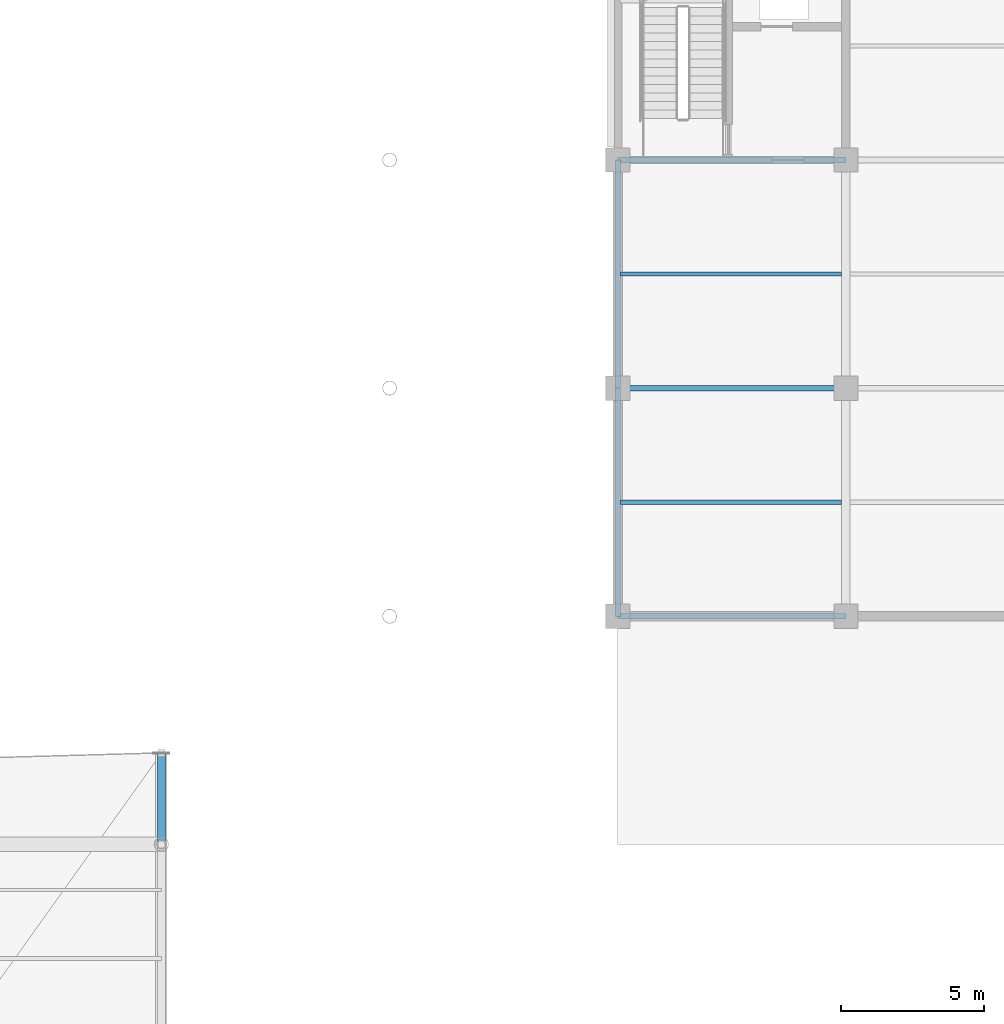
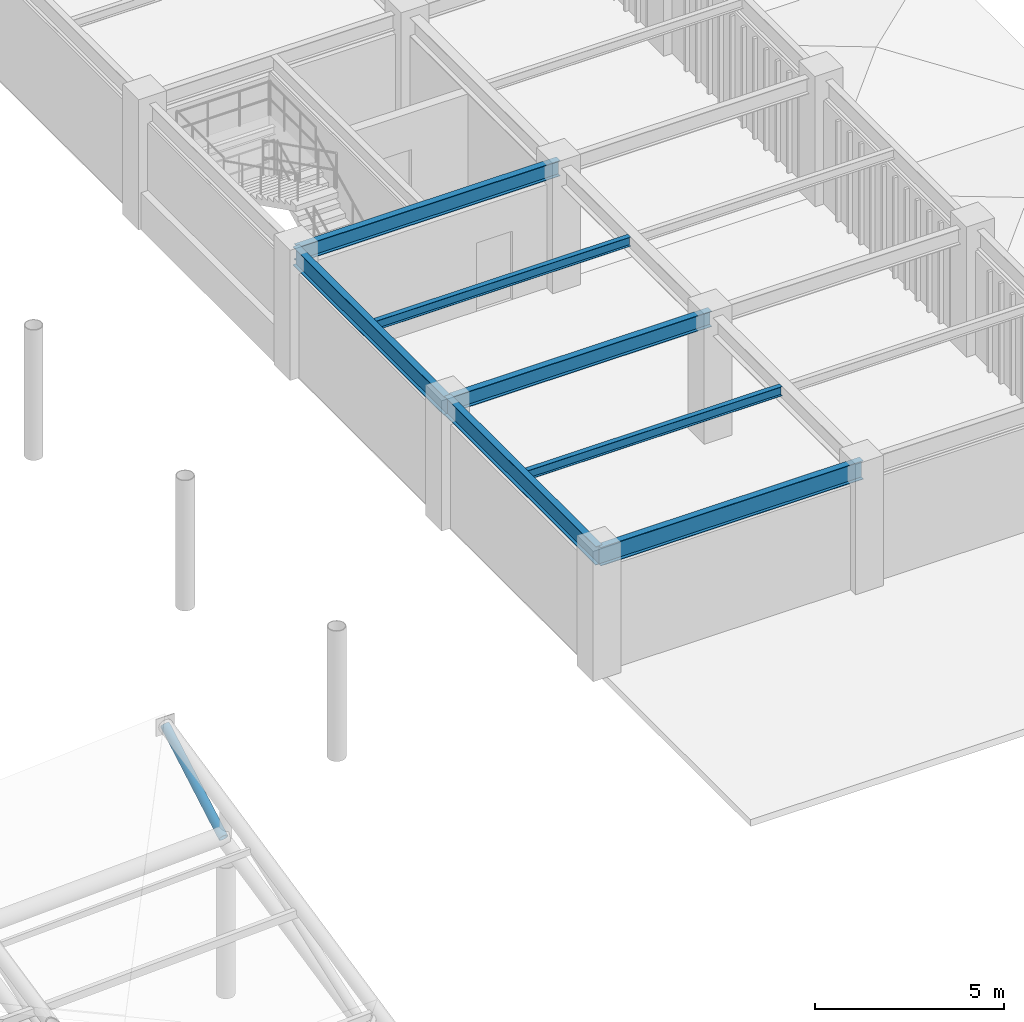
# One storey, part 26 of 78: 7 beams, 1 member.
"""IFC4 building model written with IfcOpenShell, lengths in metres."""

import ifcopenshell
import ifcopenshell.guid

model = None  # the IFC model being written
_history = None  # IfcOwnerHistory: only IFC2X3 demands one
_inside = {}  # id of a spatial element -> (the spatial element, [elements in it])
_under = {}  # id of a project, library or spatial element -> (it, [spatial elements below it])
_declared = {}  # id of a project -> (the project, [libraries it declares])
_typed = {}  # id of a type object -> (the type object, [elements of that type])
_made_of = {}  # id of a material, layer set ... -> (it, [elements and type objects made of it])


def new_model(schema):
    """Start an empty IFC model of exactly this schema.

    Asked for "IFC4X3", IfcOpenShell would pick the latest addendum, in which some entities
    have other attributes; the version numbers below select the first issue.
    IFC2X3 requires an IfcOwnerHistory on every rooted entity: one is made here for all.
    """
    global model, _history
    if schema == "IFC4X3":
        model = ifcopenshell.file(schema_version=(4, 3, 0, 0))
    else:
        model = ifcopenshell.file(schema=schema)
    _inside.clear()
    _under.clear()
    _declared.clear()
    _typed.clear()
    _made_of.clear()
    _history = None
    if model.schema == "IFC2X3":
        org = make("IfcOrganization", Name="unknown")
        user = make(
            "IfcPersonAndOrganization",
            ThePerson=make("IfcPerson", FamilyName="unknown"),
            TheOrganization=org,
        )
        app = make(
            "IfcApplication",
            ApplicationDeveloper=org,
            Version="unknown",
            ApplicationFullName="unknown",
            ApplicationIdentifier="unknown",
        )
        _history = make(
            "IfcOwnerHistory",
            OwningUser=user,
            OwningApplication=app,
            ChangeAction="ADDED",
            CreationDate=0,
        )
    return model


def make(cls, **values):
    """One entity of the class cls with the attributes given. An attribute that is None is left unset."""
    return model.create_entity(
        cls, **{name: value for name, value in values.items() if value is not None}
    )


def rooted(cls, **values):
    """An entity with a GlobalId (a new one), such as an element, a storey or a relation."""
    return make(cls, GlobalId=ifcopenshell.guid.new(), OwnerHistory=_history, **values)


def si_unit(unit_type, name, prefix=None):
    """IfcSIUnit, for example si_unit("LENGTHUNIT", "METRE", prefix="MILLI")."""
    return make("IfcSIUnit", UnitType=unit_type, Prefix=prefix, Name=name)


def assignment(units):
    """IfcUnitAssignment: the units of a project."""
    return None if units is None else make("IfcUnitAssignment", Units=units)


def point(xyz):
    """IfcCartesianPoint."""
    return None if xyz is None else make("IfcCartesianPoint", Coordinates=xyz)


def direction(xyz):
    """IfcDirection."""
    return None if xyz is None else make("IfcDirection", DirectionRatios=xyz)


def frame(location, z_axis=None, x_axis=None):
    """IfcAxis2Placement3D, a coordinate frame: its origin and axes. An axis left out is left unset."""
    return make(
        "IfcAxis2Placement3D",
        Location=point(location),
        Axis=direction(z_axis),
        RefDirection=direction(x_axis),
    )


def frame_2d(location, x_axis=None):
    """IfcAxis2Placement2D, a coordinate frame in the plane: its origin and x axis."""
    return make(
        "IfcAxis2Placement2D", Location=point(location), RefDirection=direction(x_axis)
    )


def origin():
    """The frame at (0, 0, 0) with its axes left unset."""
    return frame((0.0, 0.0, 0.0))


def origin_2d():
    """The frame at (0, 0) in the plane with its x axis left unset."""
    return frame_2d((0.0, 0.0))


def place(relative_to, where):
    """IfcLocalPlacement: puts the frame where relative to a parent placement (None: the world)."""
    return make(
        "IfcLocalPlacement", PlacementRelTo=relative_to, RelativePlacement=where
    )


def context(
    kind, dimensions, precision=None, world=None, true_north=None, identifier=None
):
    """IfcGeometricRepresentationContext, for example the 3D "Model" context."""
    return make(
        "IfcGeometricRepresentationContext",
        ContextIdentifier=identifier,
        ContextType=kind,
        CoordinateSpaceDimension=dimensions,
        Precision=precision,
        WorldCoordinateSystem=world,
        TrueNorth=true_north,
    )


def subcontext(parent, identifier, kind, view, scale=None):
    """IfcGeometricRepresentationSubContext, for example "Body" below "Model"."""
    return make(
        "IfcGeometricRepresentationSubContext",
        ContextIdentifier=identifier,
        ContextType=kind,
        ParentContext=parent,
        TargetScale=scale,
        TargetView=view,
    )


def project(units=None, contexts=None):
    """IfcProject with its units and contexts."""
    return rooted(
        "IfcProject",
        Name="project",
        RepresentationContexts=contexts,
        UnitsInContext=assignment(units),
    )


def spatial(cls, under=None, at=None, **own):
    """A site, building, storey or space (cls), placed at a placement, below another one or the project."""
    s = rooted(cls, ObjectPlacement=at, **own)
    if under is not None:
        _under.setdefault(under.id(), (under, []))[1].append(s)
    return s


def profile(cls, at=None, kind="AREA", **sizes):
    """A parametric profile (cls). Its sizes go by their IFC names, for example OverallWidth=200.0."""
    return make(cls, ProfileType=kind, Position=at, **sizes)


def hollow_circle(**sizes):
    """IfcCircleHollowProfileDef."""
    return profile("IfcCircleHollowProfileDef", **sizes)


def i_section(**sizes):
    """IfcIShapeProfileDef."""
    return profile("IfcIShapeProfileDef", **sizes)


def extrude(swept, where, along, depth):
    """IfcExtrudedAreaSolid: the profile swept, set in the frame where, extruded along a direction by depth."""
    return make(
        "IfcExtrudedAreaSolid",
        SweptArea=swept,
        Position=where,
        ExtrudedDirection=direction(along),
        Depth=depth,
    )


def shape(context_of_items, identifier, shape_type, items):
    """IfcShapeRepresentation: the items that make up one representation, for example the "Body"."""
    return make(
        "IfcShapeRepresentation",
        ContextOfItems=context_of_items,
        RepresentationIdentifier=identifier,
        RepresentationType=shape_type,
        Items=items,
    )


def material(Name=None, Category=None):
    """IfcMaterial."""
    return make("IfcMaterial", Name=Name, Category=Category)


def material_profile(
    of_material, cross_section, Name=None, Category=None, Priority=None
):
    """IfcMaterialProfile: a cross section and its material."""
    return make(
        "IfcMaterialProfile",
        Name=Name,
        Material=of_material,
        Profile=cross_section,
        Priority=Priority,
        Category=Category,
    )


def profile_set(profiles, Name=None, composite=None):
    """IfcMaterialProfileSet."""
    return make(
        "IfcMaterialProfileSet",
        Name=Name,
        MaterialProfiles=profiles,
        CompositeProfile=composite,
    )


def made_of(thing, what):
    """Note that an element or type object is made of a material, layer set ...; save() writes the relation."""
    if what is not None:
        _made_of.setdefault(what.id(), (what, []))[1].append(thing)
    return thing


def type_object(cls, material=None, **own):
    """A type object (cls), such as IfcWallType, which elements share."""
    return made_of(rooted(cls, **own), material)


def element(
    cls,
    number,
    at=None,
    inside=None,
    cuts=None,
    type_object=None,
    material=None,
    context=None,
    identifier="Body",
    shape_type=None,
    held_by="IfcProductDefinitionShape",
    body=None,
    shapes=None,
    **own,
):
    """One element of the class cls, such as IfcWall. Its Tag is "e" and its number.

    at: its placement. inside: the storey or other place that contains it. cuts: it is an
    opening in that element (IfcRelVoidsElement). A single representation is given by context,
    identifier, shape_type and body (its items); several are given by shapes. held_by: the class
    of the entity that holds the representations. save() writes the other relations.
    """
    e = rooted(cls, Tag="e%d" % number, ObjectPlacement=at, **own)
    if body is not None:
        shapes = [shape(context, identifier, shape_type, body)]
    if shapes is not None:
        e.Representation = make(held_by, Representations=shapes)
    if inside is not None:
        _inside.setdefault(inside.id(), (inside, []))[1].append(e)
    if cuts is not None:
        rooted(
            "IfcRelVoidsElement", RelatingBuildingElement=cuts, RelatedOpeningElement=e
        )
    if type_object is not None:
        _typed.setdefault(type_object.id(), (type_object, []))[1].append(e)
    return made_of(e, material)


def aggregate(whole, parts):
    """IfcRelAggregates: a whole, such as a stair, and the parts it consists of."""
    return rooted("IfcRelAggregates", RelatingObject=whole, RelatedObjects=parts)


def save(model, path):
    """Write the relations noted so far, then the file.

    IfcRelAggregates (storeys below a building ...), IfcRelContainedInSpatialStructure (elements
    in a storey), IfcRelDefinesByType, IfcRelAssociatesMaterial and IfcRelDeclares: one each for
    every whole, place, type object, material and project.
    """
    for whole, parts in _under.values():
        aggregate(whole, parts)
    for where, things in _inside.values():
        rooted(
            "IfcRelContainedInSpatialStructure",
            RelatedElements=things,
            RelatingStructure=where,
        )
    for kind, things in _typed.values():
        rooted("IfcRelDefinesByType", RelatedObjects=things, RelatingType=kind)
    for what, things in _made_of.values():
        rooted("IfcRelAssociatesMaterial", RelatedObjects=things, RelatingMaterial=what)
    for by, libraries in _declared.values():
        rooted("IfcRelDeclares", RelatingContext=by, RelatedDefinitions=libraries)
    model.write(path)


model = new_model("IFC4")

# Units and contexts
model_context = context("Model", 3, precision=1e-05, world=origin(), true_north=direction((0.0, 1.0)))
body_context = subcontext(model_context, "Body", "Model", "MODEL_VIEW")
ifc_project = project(units=[si_unit("LENGTHUNIT", "METRE"), si_unit("AREAUNIT", "SQUARE_METRE"), si_unit("VOLUMEUNIT", "CUBIC_METRE"), si_unit("PLANEANGLEUNIT", "RADIAN"), si_unit("MASSUNIT", "GRAM", prefix="KILO")], contexts=[model_context])

# Site, building, storey
site_placement = place(None, origin())
site = spatial("IfcSite", under=ifc_project, at=site_placement, CompositionType="ELEMENT")
building_placement = place(site_placement, origin())
building = spatial("IfcBuilding", under=site, at=building_placement, Name="Haebicheon Civic Stadium", CompositionType="ELEMENT")
storey_placement = place(building_placement, frame((0.0, 0.0, 18.60009765625)))
storey = spatial("IfcBuildingStorey", under=building, at=storey_placement, Name="L05", CompositionType="ELEMENT", Elevation=18.60009765625)

# Beams
ifc_material_1 = material(Name="Steel SM355 (S355)", Category="steel")
ifc_material_profile_1 = material_profile(ifc_material_1, i_section(OverallWidth=0.199951171875, OverallDepth=0.5, WebThickness=0.010009765625, FlangeThickness=0.01611328125, at=origin_2d()), Name="H-500x200x10x16")
ifc_profile_set_1 = profile_set([ifc_material_profile_1], Name="Steel SM355 (S355)")
beam_type_1 = type_object("IfcBeamType", Name="BM-ST-H500", PredefinedType="BEAM", material=ifc_profile_set_1)
for number, where, z_axis, x_axis, name in (
    (1, (144.0, 56.0, 3.699951171875), (1.0, 0.0, 0.0), (0.0, 1.0, 0.0), "L05 beam H/19-20"),
    (2, (144.0, 64.0, 3.699951171875), (1.0, 0.0, 0.0), (0.0, 1.0, 0.0), "L05 beam J/19-20"),
):
    element("IfcBeam", number, at=place(storey_placement, frame(where, z_axis=z_axis, x_axis=x_axis)), inside=storey, type_object=beam_type_1, material=ifc_profile_set_1, Name=name, PredefinedType="BEAM", context=body_context, shape_type="SweptSolid", body=[
        extrude(i_section(OverallWidth=0.199951171875, OverallDepth=0.5, WebThickness=0.010009765625, FlangeThickness=0.01611328125, at=origin_2d()), origin(), (0.0, 0.0, 1.0), 8.0),
    ])

# Member
ifc_material_2 = material(Name="White painted steel SM490", Category="steel")
ifc_material_profile_2 = material_profile(ifc_material_2, hollow_circle(Radius=0.1337890625, WallThickness=0.011962890625, at=origin_2d()), Name="CHS-267.4x12.0")
ifc_profile_set_2 = profile_set([ifc_material_profile_2], Name="White painted steel SM490")
member_type = type_object("IfcMemberType", Name="BRC-CHS267", PredefinedType="BRACE", material=ifc_profile_set_2)
member_placement = place(storey_placement, frame((128.0, 40.12109375, 4.947021484375), z_axis=(0.0, 0.867212955161, 0.497937436232), x_axis=(-1.0, 0.0, 0.0)))
element("IfcMember", 3, at=member_placement, inside=storey, type_object=member_type, material=ifc_profile_set_2, Name="BR267 diagonal brace CAN-SOUTH truss 7 tip", PredefinedType="BRACE", context=body_context, shape_type="SweptSolid", body=[
    extrude(hollow_circle(Radius=0.1337890625, WallThickness=0.011962890625, at=origin_2d()), origin(), (0.0, 0.0, 1.0), 3.55029296875),
])

# Beams
ifc_material_3 = material(Name="Steel SM355 (S355)", Category="steel")
ifc_material_profile_3 = material_profile(ifc_material_3, i_section(OverallWidth=0.14990234375, OverallDepth=0.300048828125, WebThickness=0.006591796875, FlangeThickness=0.009033203125, at=origin_2d()), Name="H-300x150x6.5x9")
ifc_profile_set_3 = profile_set([ifc_material_profile_3], Name="Steel SM355 (S355)")
beam_type_2 = type_object("IfcBeamType", Name="JST-ST-H300", PredefinedType="JOIST", material=ifc_profile_set_3)
for number, where, z_axis, x_axis, name in (
    (4, (144.10009765625, 52.0, 3.829833984375), (1.0, 0.0, 0.0), (0.0, 1.0, 0.0), "L05 secondary joist 18-06"),
    (5, (144.10009765625, 60.0, 3.7998046875), (1.0, 0.0, 0.0), (0.0, 1.0, 0.0), "L05 secondary joist 18-07"),
):
    element("IfcBeam", number, at=place(storey_placement, frame(where, z_axis=z_axis, x_axis=x_axis)), inside=storey, type_object=beam_type_2, material=ifc_profile_set_3, Name=name, PredefinedType="JOIST", context=body_context, shape_type="SweptSolid", body=[
        extrude(i_section(OverallWidth=0.14990234375, OverallDepth=0.300048828125, WebThickness=0.006591796875, FlangeThickness=0.009033203125, at=origin_2d()), origin(), (0.0, 0.0, 1.0), 7.75),
    ])
ifc_material_4 = material(Name="Steel SM355 (S355)", Category="steel")
ifc_material_profile_4 = material_profile(ifc_material_4, i_section(OverallWidth=0.199951171875, OverallDepth=0.60009765625, WebThickness=0.010986328125, FlangeThickness=0.01708984375, at=origin_2d()), Name="H-600x200x11x17")
ifc_profile_set_4 = profile_set([ifc_material_profile_4], Name="Steel SM355 (S355)")
beam_type_3 = type_object("IfcBeamType", Name="SPD-ST-H600B", PredefinedType="SPANDREL", material=ifc_profile_set_4)
for number, where, z_axis, x_axis, name in (
    (6, (144.0, 48.0, 3.679931640625), (0.0, 1.0, 0.0), (-1.0, 0.0, 0.0), "L05 girder 19/G-H"),
    (7, (144.0, 56.0, 3.64990234375), (0.0, 1.0, 0.0), (-1.0, 0.0, 0.0), "L05 girder 19/H-J"),
    (8, (144.0, 48.0, 3.679931640625), (1.0, 0.0, 0.0), (0.0, 1.0, 0.0), "L05 beam G/19-20"),
):
    element("IfcBeam", number, at=place(storey_placement, frame(where, z_axis=z_axis, x_axis=x_axis)), inside=storey, type_object=beam_type_3, material=ifc_profile_set_4, Name=name, PredefinedType="SPANDREL", context=body_context, shape_type="SweptSolid", body=[
        extrude(i_section(OverallWidth=0.199951171875, OverallDepth=0.60009765625, WebThickness=0.010986328125, FlangeThickness=0.01708984375, at=origin_2d()), origin(), (0.0, 0.0, 1.0), 8.0),
    ])

save(model, "model.ifc")
